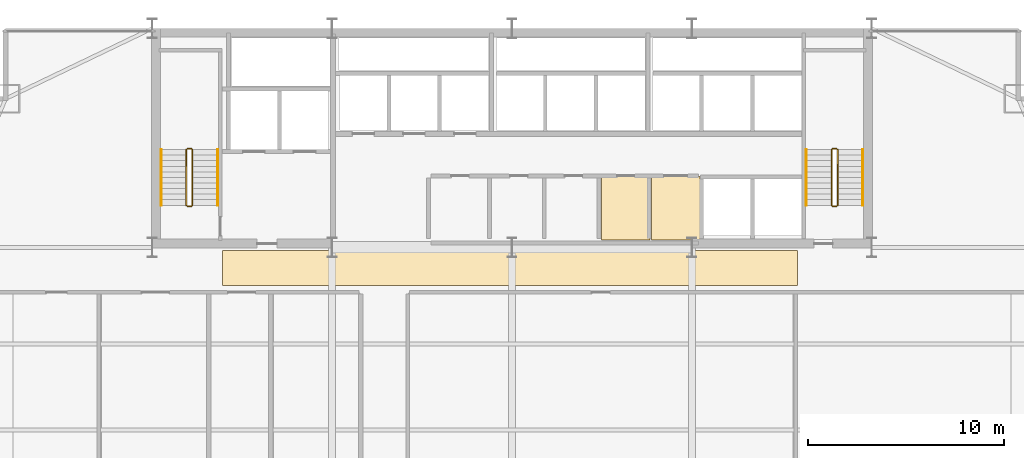
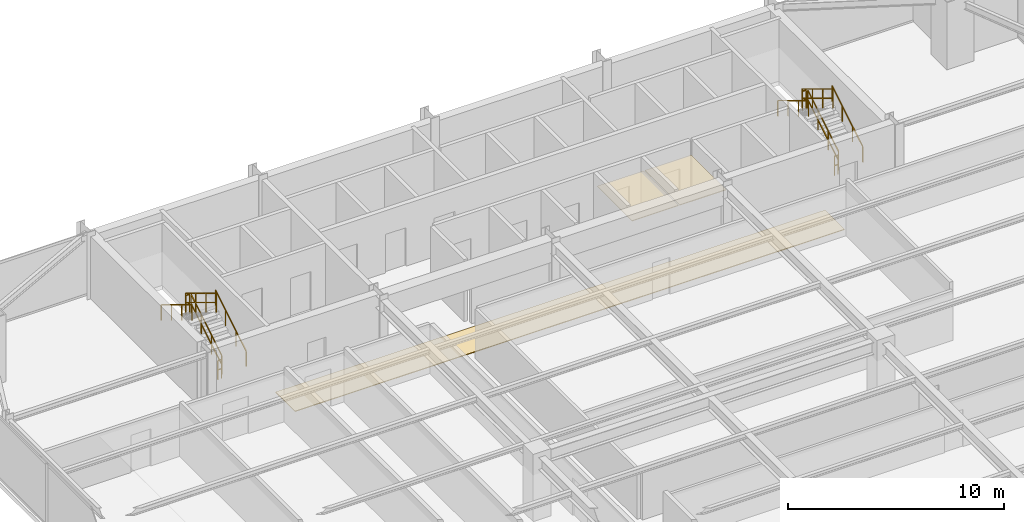
# One storey, part 31 of 31: 12 railings, 3 coverings.
"""IFC4 building model written with IfcOpenShell, lengths in metres."""

from ifc_helpers import new_model, si_unit, direction, frame, origin, origin_2d, place, context, subcontext, project, spatial, polyline, rectangle, outline, extrude, material, layer, layer_set, type_object, element, save


model = new_model("IFC4")

# Units and contexts
model_context = context("Model", 3, precision=1e-05, world=origin(), true_north=direction((0.0, 1.0)))
body_context = subcontext(model_context, "Body", "Model", "MODEL_VIEW")
ifc_project = project(units=[si_unit("LENGTHUNIT", "METRE"), si_unit("AREAUNIT", "SQUARE_METRE"), si_unit("VOLUMEUNIT", "CUBIC_METRE"), si_unit("PLANEANGLEUNIT", "RADIAN"), si_unit("MASSUNIT", "GRAM", prefix="KILO")], contexts=[model_context])

# Site, building, storey
site_placement = place(None, origin())
site = spatial("IfcSite", under=ifc_project, at=site_placement, CompositionType="ELEMENT")
building_placement = place(site_placement, origin())
building = spatial("IfcBuilding", under=site, at=building_placement, Name="Varnel Quay Broadcast Tower", CompositionType="ELEMENT")
storey_placement = place(building_placement, frame((0.0, 0.0, 94.60009765625)))
storey = spatial("IfcBuildingStorey", under=building, at=storey_placement, Name="L22", CompositionType="ELEMENT", Elevation=94.60009765625)

# Coverings
ifc_material_1 = material(Name="Micro-Perforated Acoustic Ceiling Tile")
ifc_layer_1 = layer(ifc_material_1, 0.0400390625, Name="Micro-Perforated Acoustic Ceiling Tile")
ifc_layer_set_1 = layer_set([ifc_layer_1], Name="Micro-Perforated Acoustic Ceiling Tile")
covering_type_1 = type_object("IfcCoveringType", Name="Cov_AcousticCeiling", PredefinedType="CEILING", material=ifc_layer_set_1)
covering_1_placement = place(storey_placement, frame((0.0, 0.0, 2.579833984375)))
element("IfcCovering", 1, at=covering_1_placement, inside=storey, type_object=covering_type_1, Name="L22 Cleaners' & Linen Store Acoustic Ceiling", PredefinedType="CEILING", context=body_context, shape_type="SweptSolid", body=[
    extrude(outline(polyline([(38.5849609375, 35.985107421875), (41.06494140625, 35.985107421875), (41.06494140625, 39.215087890625), (38.5849609375, 39.215087890625), (38.5849609375, 35.985107421875)])), origin(), (0.0, 0.0, 1.0), 0.0400390625),
])
covering_2_placement = place(storey_placement, frame((0.0, 0.0, 2.579833984375)))
element("IfcCovering", 2, at=covering_2_placement, inside=storey, type_object=covering_type_1, Name="L22 Telecom IDF Closet Acoustic Ceiling", PredefinedType="CEILING", context=body_context, shape_type="SweptSolid", body=[
    extrude(outline(polyline([(41.135009765625, 35.985107421875), (43.614990234375, 35.985107421875), (43.614990234375, 39.215087890625), (41.135009765625, 39.215087890625), (41.135009765625, 35.985107421875)])), origin(), (0.0, 0.0, 1.0), 0.0400390625),
])
ifc_material_2 = material(Name="Polished Terrazzo & Broadcast Raised Flooring")
ifc_layer_2 = layer(ifc_material_2, 0.0400390625, Name="Polished Terrazzo & Broadcast Raised Flooring")
ifc_layer_set_2 = layer_set([ifc_layer_2], Name="Polished Terrazzo & Broadcast Raised Flooring")
covering_type_2 = type_object("IfcCoveringType", Name="Cov_TerrazzoFloor", PredefinedType="FLOORING", material=ifc_layer_set_2)
covering_3_placement = place(storey_placement, origin())
element("IfcCovering", 3, at=covering_3_placement, inside=storey, type_object=covering_type_2, Name="L22 Corridor Terrazzo Flooring", PredefinedType="FLOORING", context=body_context, shape_type="SweptSolid", body=[
    extrude(outline(polyline([(19.199951171875, 33.64990234375), (48.60009765625, 33.64990234375), (48.60009765625, 35.449951171875), (19.199951171875, 35.449951171875), (19.199951171875, 33.64990234375)])), origin(), (0.0, 0.0, 1.0), 0.039794921875),
])

# Railings
ifc_material_3 = material(Name="Painted Steel Guard and Handrail CSA G40.21 350W", Category="steel")
railing_type_1 = type_object("IfcRailingType", Name="Rail_StairGuard1100", PredefinedType="GUARDRAIL", material=ifc_material_3)
railing_1_placement = place(storey_placement, frame((17.64990234375, 37.75, 0.172607421875)))
element("IfcRailing", 4, at=railing_1_placement, inside=storey, type_object=railing_type_1, Name="L22 ST-01 stair guard 1", PredefinedType="GUARDRAIL", context=body_context, shape_type="SweptSolid", body=[
    extrude(rectangle(XDim=0.048095703125, YDim=0.048095703125, at=origin_2d()), frame((0.0, 0.0, 1.076171875), z_axis=(0.0, 0.855202751398, 0.518293598264), x_axis=(-1.0, 0.0, 0.0)), (0.0, 0.0, 1.0), 3.332763671875),
    extrude(rectangle(XDim=0.048095703125, YDim=0.048095703125, at=origin_2d()), frame((0.0, 0.0, 0.550048828125), z_axis=(0.0, 0.855202751398, 0.518293598264), x_axis=(-1.0, 0.0, 0.0)), (0.0, 0.0, 1.0), 3.332763671875),
    extrude(rectangle(XDim=0.0419921875, YDim=0.0419921875, at=origin_2d()), origin(), (0.0, 0.0, 1.0), 1.052001953125),
    extrude(rectangle(XDim=0.0419921875, YDim=0.0419921875, at=origin_2d()), frame((0.0, 0.949951171875, 0.57568359375)), (0.0, 0.0, 1.0), 1.052001953125),
    extrude(rectangle(XDim=0.0419921875, YDim=0.0419921875, at=origin_2d()), frame((0.0, 1.900146484375, 1.151611328125)), (0.0, 0.0, 1.0), 1.052001953125),
    extrude(rectangle(XDim=0.0419921875, YDim=0.0419921875, at=origin_2d()), frame((0.0, 2.85009765625, 1.727294921875)), (0.0, 0.0, 1.0), 1.052001953125),
])
railing_2_placement = place(storey_placement, frame((17.60009765625, 40.64990234375, 1.89990234375)))
element("IfcRailing", 5, at=railing_2_placement, inside=storey, type_object=railing_type_1, Name="L22 ST-01 stair guard 2", PredefinedType="GUARDRAIL", context=body_context, shape_type="SweptSolid", body=[
    extrude(rectangle(XDim=0.048095703125, YDim=0.048095703125, at=origin_2d()), frame((0.0, 0.0, 1.076171875), z_axis=(-1.0, 0.0, 0.0), x_axis=(0.0, -1.0, 0.0)), (0.0, 0.0, 1.0), 0.2001953125),
    extrude(rectangle(XDim=0.048095703125, YDim=0.048095703125, at=origin_2d()), frame((0.0, 0.0, 0.550048828125), z_axis=(-1.0, 0.0, 0.0), x_axis=(0.0, -1.0, 0.0)), (0.0, 0.0, 1.0), 0.2001953125),
    extrude(rectangle(XDim=0.0419921875, YDim=0.0419921875, at=origin_2d()), origin(), (0.0, 0.0, 1.0), 1.052001953125),
    extrude(rectangle(XDim=0.0419921875, YDim=0.0419921875, at=origin_2d()), frame((-0.2001953125, 0.0, 0.0)), (0.0, 0.0, 1.0), 1.052001953125),
])
railing_3_placement = place(storey_placement, frame((17.35009765625, 40.60009765625, 2.072509765625)))
element("IfcRailing", 6, at=railing_3_placement, inside=storey, type_object=railing_type_1, Name="L22 ST-01 stair guard 3", PredefinedType="GUARDRAIL", context=body_context, shape_type="SweptSolid", body=[
    extrude(rectangle(XDim=0.048095703125, YDim=0.048095703125, at=origin_2d()), frame((0.0, 0.0, 1.076171875), z_axis=(0.0, -0.855202751398, 0.518293598264), x_axis=(1.0, 0.0, 0.0)), (0.0, 0.0, 1.0), 3.332763671875),
    extrude(rectangle(XDim=0.048095703125, YDim=0.048095703125, at=origin_2d()), frame((0.0, 0.0, 0.550048828125), z_axis=(0.0, -0.855202751398, 0.518293598264), x_axis=(1.0, 0.0, 0.0)), (0.0, 0.0, 1.0), 3.332763671875),
    extrude(rectangle(XDim=0.0419921875, YDim=0.0419921875, at=origin_2d()), origin(), (0.0, 0.0, 1.0), 1.052001953125),
    extrude(rectangle(XDim=0.0419921875, YDim=0.0419921875, at=origin_2d()), frame((0.0, -0.949951171875, 0.57568359375)), (0.0, 0.0, 1.0), 1.052001953125),
    extrude(rectangle(XDim=0.0419921875, YDim=0.0419921875, at=origin_2d()), frame((0.0, -1.900146484375, 1.151611328125)), (0.0, 0.0, 1.0), 1.052001953125),
    extrude(rectangle(XDim=0.0419921875, YDim=0.0419921875, at=origin_2d()), frame((0.0, -2.85009765625, 1.727294921875)), (0.0, 0.0, 1.0), 1.052001953125),
])
railing_4_placement = place(storey_placement, frame((17.60009765625, 37.699951171875, 0.0)))
element("IfcRailing", 7, at=railing_4_placement, inside=storey, type_object=railing_type_1, Name="L22 ST-01 stair guard 4", PredefinedType="GUARDRAIL", context=body_context, shape_type="SweptSolid", body=[
    extrude(rectangle(XDim=0.048095703125, YDim=0.048095703125, at=origin_2d()), frame((0.0, 0.0, 1.076171875), z_axis=(-1.0, 0.0, 0.0), x_axis=(0.0, -1.0, 0.0)), (0.0, 0.0, 1.0), 0.2001953125),
    extrude(rectangle(XDim=0.048095703125, YDim=0.048095703125, at=origin_2d()), frame((0.0, 0.0, 0.550048828125), z_axis=(-1.0, 0.0, 0.0), x_axis=(0.0, -1.0, 0.0)), (0.0, 0.0, 1.0), 0.2001953125),
    extrude(rectangle(XDim=0.0419921875, YDim=0.0419921875, at=origin_2d()), origin(), (0.0, 0.0, 1.0), 1.052001953125),
    extrude(rectangle(XDim=0.0419921875, YDim=0.0419921875, at=origin_2d()), frame((-0.2001953125, 0.0, 0.0)), (0.0, 0.0, 1.0), 1.052001953125),
])
railing_5_placement = place(storey_placement, frame((50.64990234375, 37.75, 0.172607421875)))
element("IfcRailing", 8, at=railing_5_placement, inside=storey, type_object=railing_type_1, Name="L22 ST-02 stair guard 1", PredefinedType="GUARDRAIL", context=body_context, shape_type="SweptSolid", body=[
    extrude(rectangle(XDim=0.048095703125, YDim=0.048095703125, at=origin_2d()), frame((0.0, 0.0, 1.076171875), z_axis=(0.0, 0.855202751398, 0.518293598264), x_axis=(-1.0, 0.0, 0.0)), (0.0, 0.0, 1.0), 3.332763671875),
    extrude(rectangle(XDim=0.048095703125, YDim=0.048095703125, at=origin_2d()), frame((0.0, 0.0, 0.550048828125), z_axis=(0.0, 0.855202751398, 0.518293598264), x_axis=(-1.0, 0.0, 0.0)), (0.0, 0.0, 1.0), 3.332763671875),
    extrude(rectangle(XDim=0.0419921875, YDim=0.0419921875, at=origin_2d()), origin(), (0.0, 0.0, 1.0), 1.052001953125),
    extrude(rectangle(XDim=0.0419921875, YDim=0.0419921875, at=origin_2d()), frame((0.0, 0.949951171875, 0.57568359375)), (0.0, 0.0, 1.0), 1.052001953125),
    extrude(rectangle(XDim=0.0419921875, YDim=0.0419921875, at=origin_2d()), frame((0.0, 1.900146484375, 1.151611328125)), (0.0, 0.0, 1.0), 1.052001953125),
    extrude(rectangle(XDim=0.0419921875, YDim=0.0419921875, at=origin_2d()), frame((0.0, 2.85009765625, 1.727294921875)), (0.0, 0.0, 1.0), 1.052001953125),
])
railing_6_placement = place(storey_placement, frame((50.60009765625, 40.64990234375, 1.89990234375)))
element("IfcRailing", 9, at=railing_6_placement, inside=storey, type_object=railing_type_1, Name="L22 ST-02 stair guard 2", PredefinedType="GUARDRAIL", context=body_context, shape_type="SweptSolid", body=[
    extrude(rectangle(XDim=0.048095703125, YDim=0.048095703125, at=origin_2d()), frame((0.0, 0.0, 1.076171875), z_axis=(-1.0, 0.0, 0.0), x_axis=(0.0, -1.0, 0.0)), (0.0, 0.0, 1.0), 0.2001953125),
    extrude(rectangle(XDim=0.048095703125, YDim=0.048095703125, at=origin_2d()), frame((0.0, 0.0, 0.550048828125), z_axis=(-1.0, 0.0, 0.0), x_axis=(0.0, -1.0, 0.0)), (0.0, 0.0, 1.0), 0.2001953125),
    extrude(rectangle(XDim=0.0419921875, YDim=0.0419921875, at=origin_2d()), origin(), (0.0, 0.0, 1.0), 1.052001953125),
    extrude(rectangle(XDim=0.0419921875, YDim=0.0419921875, at=origin_2d()), frame((-0.2001953125, 0.0, 0.0)), (0.0, 0.0, 1.0), 1.052001953125),
])
railing_7_placement = place(storey_placement, frame((50.35009765625, 40.60009765625, 2.072509765625)))
element("IfcRailing", 10, at=railing_7_placement, inside=storey, type_object=railing_type_1, Name="L22 ST-02 stair guard 3", PredefinedType="GUARDRAIL", context=body_context, shape_type="SweptSolid", body=[
    extrude(rectangle(XDim=0.048095703125, YDim=0.048095703125, at=origin_2d()), frame((0.0, 0.0, 1.076171875), z_axis=(0.0, -0.855202751398, 0.518293598264), x_axis=(1.0, 0.0, 0.0)), (0.0, 0.0, 1.0), 3.332763671875),
    extrude(rectangle(XDim=0.048095703125, YDim=0.048095703125, at=origin_2d()), frame((0.0, 0.0, 0.550048828125), z_axis=(0.0, -0.855202751398, 0.518293598264), x_axis=(1.0, 0.0, 0.0)), (0.0, 0.0, 1.0), 3.332763671875),
    extrude(rectangle(XDim=0.0419921875, YDim=0.0419921875, at=origin_2d()), origin(), (0.0, 0.0, 1.0), 1.052001953125),
    extrude(rectangle(XDim=0.0419921875, YDim=0.0419921875, at=origin_2d()), frame((0.0, -0.949951171875, 0.57568359375)), (0.0, 0.0, 1.0), 1.052001953125),
    extrude(rectangle(XDim=0.0419921875, YDim=0.0419921875, at=origin_2d()), frame((0.0, -1.900146484375, 1.151611328125)), (0.0, 0.0, 1.0), 1.052001953125),
    extrude(rectangle(XDim=0.0419921875, YDim=0.0419921875, at=origin_2d()), frame((0.0, -2.85009765625, 1.727294921875)), (0.0, 0.0, 1.0), 1.052001953125),
])
railing_8_placement = place(storey_placement, frame((50.60009765625, 37.699951171875, 0.0)))
element("IfcRailing", 11, at=railing_8_placement, inside=storey, type_object=railing_type_1, Name="L22 ST-02 stair guard 4", PredefinedType="GUARDRAIL", context=body_context, shape_type="SweptSolid", body=[
    extrude(rectangle(XDim=0.048095703125, YDim=0.048095703125, at=origin_2d()), frame((0.0, 0.0, 1.076171875), z_axis=(-1.0, 0.0, 0.0), x_axis=(0.0, -1.0, 0.0)), (0.0, 0.0, 1.0), 0.2001953125),
    extrude(rectangle(XDim=0.048095703125, YDim=0.048095703125, at=origin_2d()), frame((0.0, 0.0, 0.550048828125), z_axis=(-1.0, 0.0, 0.0), x_axis=(0.0, -1.0, 0.0)), (0.0, 0.0, 1.0), 0.2001953125),
    extrude(rectangle(XDim=0.0419921875, YDim=0.0419921875, at=origin_2d()), origin(), (0.0, 0.0, 1.0), 1.052001953125),
    extrude(rectangle(XDim=0.0419921875, YDim=0.0419921875, at=origin_2d()), frame((-0.2001953125, 0.0, 0.0)), (0.0, 0.0, 1.0), 1.052001953125),
])
railing_type_2 = type_object("IfcRailingType", Name="Rail_StairHandrail900", PredefinedType="HANDRAIL", material=ifc_material_3)
railing_9_placement = place(storey_placement, frame((18.949951171875, 37.75, 0.172607421875)))
element("IfcRailing", 12, at=railing_9_placement, inside=storey, type_object=railing_type_2, Name="L22 ST-01 stair handrail 1", PredefinedType="HANDRAIL", context=body_context, shape_type="SweptSolid", body=[
    extrude(rectangle(XDim=0.048095703125, YDim=0.048095703125, at=origin_2d()), frame((0.0, 0.0, 0.8759765625), z_axis=(0.0, 0.855202751398, 0.518293598264), x_axis=(-1.0, 0.0, 0.0)), (0.0, 0.0, 1.0), 3.332763671875),
    extrude(rectangle(XDim=0.0419921875, YDim=0.0419921875, at=origin_2d()), origin(), (0.0, 0.0, 1.0), 0.851806640625),
    extrude(rectangle(XDim=0.0419921875, YDim=0.0419921875, at=origin_2d()), frame((0.0, 0.949951171875, 0.57568359375)), (0.0, 0.0, 1.0), 0.851806640625),
    extrude(rectangle(XDim=0.0419921875, YDim=0.0419921875, at=origin_2d()), frame((0.0, 1.900146484375, 1.151611328125)), (0.0, 0.0, 1.0), 0.851806640625),
    extrude(rectangle(XDim=0.0419921875, YDim=0.0419921875, at=origin_2d()), frame((0.0, 2.85009765625, 1.727294921875)), (0.0, 0.0, 1.0), 0.851806640625),
])
railing_10_placement = place(storey_placement, frame((16.050048828125, 40.60009765625, 2.072509765625)))
element("IfcRailing", 13, at=railing_10_placement, inside=storey, type_object=railing_type_2, Name="L22 ST-01 stair handrail 2", PredefinedType="HANDRAIL", context=body_context, shape_type="SweptSolid", body=[
    extrude(rectangle(XDim=0.048095703125, YDim=0.048095703125, at=origin_2d()), frame((0.0, 0.0, 0.8759765625), z_axis=(0.0, -0.855202751398, 0.518293598264), x_axis=(1.0, 0.0, 0.0)), (0.0, 0.0, 1.0), 3.332763671875),
    extrude(rectangle(XDim=0.0419921875, YDim=0.0419921875, at=origin_2d()), origin(), (0.0, 0.0, 1.0), 0.851806640625),
    extrude(rectangle(XDim=0.0419921875, YDim=0.0419921875, at=origin_2d()), frame((0.0, -0.949951171875, 0.57568359375)), (0.0, 0.0, 1.0), 0.851806640625),
    extrude(rectangle(XDim=0.0419921875, YDim=0.0419921875, at=origin_2d()), frame((0.0, -1.900146484375, 1.151611328125)), (0.0, 0.0, 1.0), 0.851806640625),
    extrude(rectangle(XDim=0.0419921875, YDim=0.0419921875, at=origin_2d()), frame((0.0, -2.85009765625, 1.727294921875)), (0.0, 0.0, 1.0), 0.851806640625),
])
railing_11_placement = place(storey_placement, frame((51.949951171875, 37.75, 0.172607421875)))
element("IfcRailing", 14, at=railing_11_placement, inside=storey, type_object=railing_type_2, Name="L22 ST-02 stair handrail 1", PredefinedType="HANDRAIL", context=body_context, shape_type="SweptSolid", body=[
    extrude(rectangle(XDim=0.048095703125, YDim=0.048095703125, at=origin_2d()), frame((0.0, 0.0, 0.8759765625), z_axis=(0.0, 0.855202751398, 0.518293598264), x_axis=(-1.0, 0.0, 0.0)), (0.0, 0.0, 1.0), 3.332763671875),
    extrude(rectangle(XDim=0.0419921875, YDim=0.0419921875, at=origin_2d()), origin(), (0.0, 0.0, 1.0), 0.851806640625),
    extrude(rectangle(XDim=0.0419921875, YDim=0.0419921875, at=origin_2d()), frame((0.0, 0.949951171875, 0.57568359375)), (0.0, 0.0, 1.0), 0.851806640625),
    extrude(rectangle(XDim=0.0419921875, YDim=0.0419921875, at=origin_2d()), frame((0.0, 1.900146484375, 1.151611328125)), (0.0, 0.0, 1.0), 0.851806640625),
    extrude(rectangle(XDim=0.0419921875, YDim=0.0419921875, at=origin_2d()), frame((0.0, 2.85009765625, 1.727294921875)), (0.0, 0.0, 1.0), 0.851806640625),
])
railing_12_placement = place(storey_placement, frame((49.050048828125, 40.60009765625, 2.072509765625)))
element("IfcRailing", 15, at=railing_12_placement, inside=storey, type_object=railing_type_2, Name="L22 ST-02 stair handrail 2", PredefinedType="HANDRAIL", context=body_context, shape_type="SweptSolid", body=[
    extrude(rectangle(XDim=0.048095703125, YDim=0.048095703125, at=origin_2d()), frame((0.0, 0.0, 0.8759765625), z_axis=(0.0, -0.855202751398, 0.518293598264), x_axis=(1.0, 0.0, 0.0)), (0.0, 0.0, 1.0), 3.332763671875),
    extrude(rectangle(XDim=0.0419921875, YDim=0.0419921875, at=origin_2d()), origin(), (0.0, 0.0, 1.0), 0.851806640625),
    extrude(rectangle(XDim=0.0419921875, YDim=0.0419921875, at=origin_2d()), frame((0.0, -0.949951171875, 0.57568359375)), (0.0, 0.0, 1.0), 0.851806640625),
    extrude(rectangle(XDim=0.0419921875, YDim=0.0419921875, at=origin_2d()), frame((0.0, -1.900146484375, 1.151611328125)), (0.0, 0.0, 1.0), 0.851806640625),
    extrude(rectangle(XDim=0.0419921875, YDim=0.0419921875, at=origin_2d()), frame((0.0, -2.85009765625, 1.727294921875)), (0.0, 0.0, 1.0), 0.851806640625),
])

save(model, "model.ifc")
